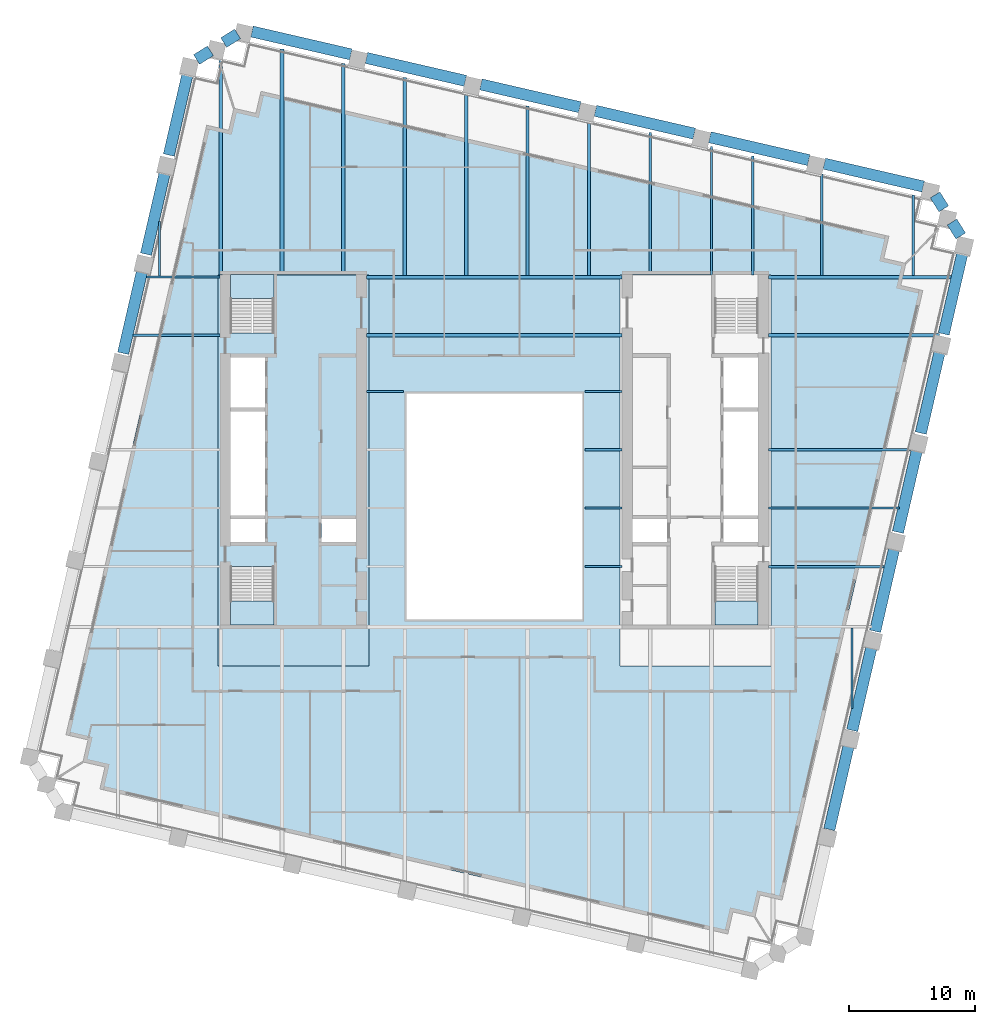
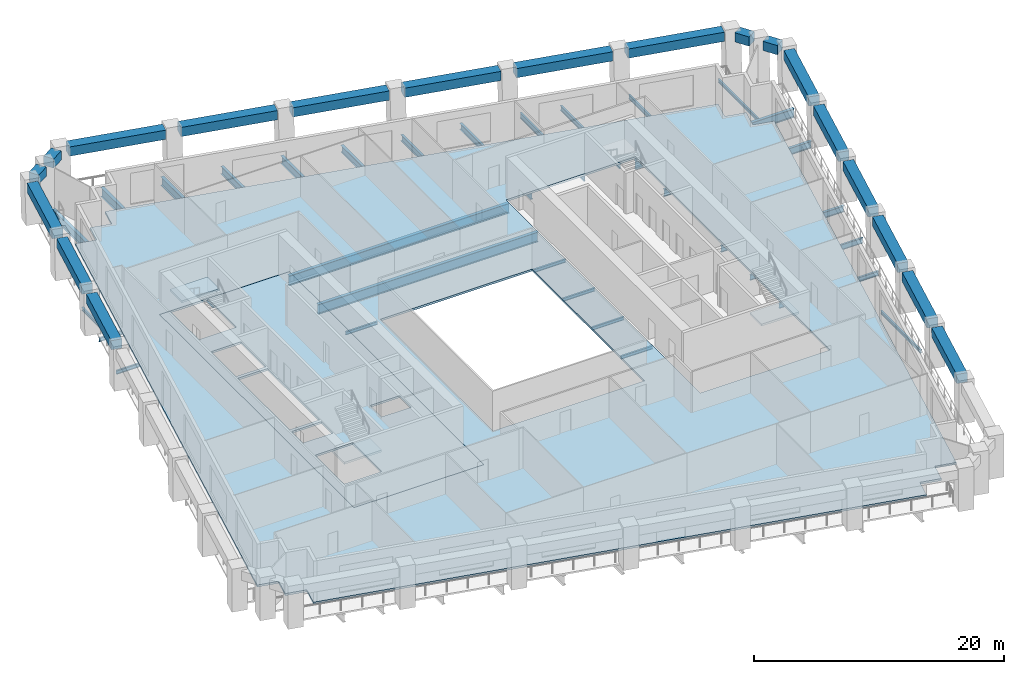
# One storey, part 2 of 10: 47 beams, 5 slabs, 3 elements without a shape of their own.
"""IFC4 building model written with IfcOpenShell, lengths in metres."""

from ifc_helpers import new_model, si_unit, direction, frame, origin, origin_2d, place, context, subcontext, project, spatial, polyline, rectangle, i_section, outline, extrude, material, layer, layer_set, material_profile, profile_set, type_object, element, aggregate, save


model = new_model("IFC4")

# Units and contexts
model_context = context("Model", 3, precision=1e-05, world=origin(), true_north=direction((0.0, 1.0)))
body_context = subcontext(model_context, "Body", "Model", "MODEL_VIEW")
ifc_project = project(units=[si_unit("LENGTHUNIT", "METRE"), si_unit("AREAUNIT", "SQUARE_METRE"), si_unit("VOLUMEUNIT", "CUBIC_METRE"), si_unit("PLANEANGLEUNIT", "RADIAN"), si_unit("MASSUNIT", "GRAM", prefix="KILO")], contexts=[model_context])

# Site, building, storey
site_placement = place(None, origin())
site = spatial("IfcSite", under=ifc_project, at=site_placement, CompositionType="ELEMENT")
building_placement = place(site_placement, origin())
building = spatial("IfcBuilding", under=site, at=building_placement, Name="Ogive Exchange Tower", CompositionType="ELEMENT")
storey_placement = place(building_placement, frame((0.0, 0.0, 118.199951171875)))
storey = spatial("IfcBuildingStorey", under=building, at=storey_placement, Name="L25", CompositionType="ELEMENT", Elevation=118.199951171875)

# Beams
ifc_material_1 = material(Name="Steel ASTM A992 Gr50", Category="steel")
ifc_material_profile_1 = material_profile(ifc_material_1, i_section(OverallWidth=0.300048828125, OverallDepth=0.969970703125, WebThickness=0.01611328125, FlangeThickness=0.02099609375, at=origin_2d()), Name="W1000x222")
ifc_profile_set_1 = profile_set([ifc_material_profile_1], Name="Steel ASTM A992 Gr50")
beam_type_1 = type_object("IfcBeamType", Name="Floor beam W1000x222", PredefinedType="JOIST", material=ifc_profile_set_1)
beam_1_placement = place(storey_placement, frame((-10.169921875, 20.62255859375, -0.68505859375), z_axis=(1.0, 0.0, 0.0), x_axis=(0.0, 1.0, 0.0)))
element("IfcBeam", 1, at=beam_1_placement, inside=storey, type_object=beam_type_1, Name="Floor beam", PredefinedType="JOIST", context=body_context, shape_type="SweptSolid", body=[
    extrude(i_section(OverallWidth=0.300048828125, OverallDepth=0.969970703125, WebThickness=0.01611328125, FlangeThickness=0.02099609375, at=origin_2d()), origin(), (0.0, 0.0, 1.0), 20.33984375),
])
ifc_material_profile_2 = material_profile(ifc_material_1, i_section(OverallWidth=0.1650390625, OverallDepth=0.31005859375, WebThickness=0.005859375, FlangeThickness=0.009765625, at=origin_2d()), Name="W310x38.7")
ifc_profile_set_2 = profile_set([ifc_material_profile_2], Name="Steel ASTM A992 Gr50")
beam_type_2 = type_object("IfcBeamType", Name="Floor beam W310x38.7", PredefinedType="JOIST", material=ifc_profile_set_2)
for number, where, z_axis, x_axis, name in (
    (2, (7.219970703125, 2.208740234375, -0.35498046875), (1.0, 0.0, 0.0), (0.0, 1.0, 0.0), "Floor beam"),
    (3, (7.219970703125, 6.857421875, -0.35498046875), (1.0, 0.0, 0.0), (0.0, 1.0, 0.0), "Floor beam"),
    (4, (7.219970703125, 11.50634765625, -0.35498046875), (1.0, 0.0, 0.0), (0.0, 1.0, 0.0), "Floor beam"),
):
    element("IfcBeam", number, at=place(storey_placement, frame(where, z_axis=z_axis, x_axis=x_axis)), inside=storey, type_object=beam_type_2, Name=name, PredefinedType="JOIST", context=body_context, shape_type="SweptSolid", body=[
        extrude(i_section(OverallWidth=0.1650390625, OverallDepth=0.31005859375, WebThickness=0.005859375, FlangeThickness=0.009765625, at=origin_2d()), origin(), (0.0, 0.0, 1.0), 2.949951171875),
    ])
beam_2_placement = place(storey_placement, frame((28.452392578125, -9.10546875, -0.35498046875), z_axis=(0.0, 1.0, 0.0), x_axis=(-1.0, 0.0, 0.0)))
element("IfcBeam", 5, at=beam_2_placement, inside=storey, type_object=beam_type_2, Name="Floor beam", PredefinedType="JOIST", context=body_context, shape_type="SweptSolid", body=[
    extrude(i_section(OverallWidth=0.1650390625, OverallDepth=0.31005859375, WebThickness=0.005859375, FlangeThickness=0.009765625, at=origin_2d()), origin(), (0.0, 0.0, 1.0), 6.41455078125),
])
beam_3_placement = place(storey_placement, frame((-26.672119140625, 25.33056640625, -0.35498046875), z_axis=(0.0, 1.0, 0.0), x_axis=(-1.0, 0.0, 0.0)))
element("IfcBeam", 6, at=beam_3_placement, inside=storey, type_object=beam_type_2, Name="Floor beam", PredefinedType="JOIST", context=body_context, shape_type="SweptSolid", body=[
    extrude(i_section(OverallWidth=0.1650390625, OverallDepth=0.31005859375, WebThickness=0.005859375, FlangeThickness=0.009765625, at=origin_2d()), origin(), (0.0, 0.0, 1.0), 4.33642578125),
])
beam_4_placement = place(storey_placement, frame((33.336669921875, 25.39111328125, -0.35498046875), z_axis=(0.0, 1.0, 0.0), x_axis=(-1.0, 0.0, 0.0)))
element("IfcBeam", 7, at=beam_4_placement, inside=storey, type_object=beam_type_2, Name="Floor beam", PredefinedType="JOIST", context=body_context, shape_type="SweptSolid", body=[
    extrude(i_section(OverallWidth=0.1650390625, OverallDepth=0.31005859375, WebThickness=0.005859375, FlangeThickness=0.009765625, at=origin_2d()), origin(), (0.0, 0.0, 1.0), 6.39892578125),
])
ifc_material_profile_3 = material_profile(ifc_material_1, i_section(OverallWidth=0.1708984375, OverallDepth=0.35595703125, WebThickness=0.00732421875, FlangeThickness=0.01171875, at=origin_2d()), Name="W360x51")
ifc_profile_set_3 = profile_set([ifc_material_profile_3], Name="Steel ASTM A992 Gr50")
beam_type_3 = type_object("IfcBeamType", Name="Floor beam W360x51", PredefinedType="JOIST", material=ifc_profile_set_3)
beam_5_placement = place(storey_placement, frame((-28.76025390625, 20.62255859375, -0.3779296875), z_axis=(1.0, 0.0, 0.0), x_axis=(0.0, 1.0, 0.0)))
element("IfcBeam", 8, at=beam_5_placement, inside=storey, type_object=beam_type_3, Name="Floor beam", PredefinedType="JOIST", context=body_context, shape_type="SweptSolid", body=[
    extrude(i_section(OverallWidth=0.1708984375, OverallDepth=0.35595703125, WebThickness=0.00732421875, FlangeThickness=0.01171875, at=origin_2d()), origin(), (0.0, 0.0, 1.0), 6.93017578125),
])
ifc_material_profile_4 = material_profile(ifc_material_1, i_section(OverallWidth=0.177978515625, OverallDepth=0.406005859375, WebThickness=0.0078125, FlangeThickness=0.0126953125, at=origin_2d()), Name="W410x60")
ifc_profile_set_4 = profile_set([ifc_material_profile_4], Name="Steel ASTM A992 Gr50")
beam_type_4 = type_object("IfcBeamType", Name="Floor beam W410x60", PredefinedType="JOIST", material=ifc_profile_set_4)
beam_6_placement = place(storey_placement, frame((26.052490234375, 25.39111328125, -0.40283203125), z_axis=(0.0, 1.0, 0.0), x_axis=(-1.0, 0.0, 0.0)))
element("IfcBeam", 9, at=beam_6_placement, inside=storey, type_object=beam_type_4, Name="Floor beam", PredefinedType="JOIST", context=body_context, shape_type="SweptSolid", body=[
    extrude(i_section(OverallWidth=0.177978515625, OverallDepth=0.406005859375, WebThickness=0.0078125, FlangeThickness=0.0126953125, at=origin_2d()), origin(), (0.0, 0.0, 1.0), 8.08056640625),
])
ifc_material_profile_5 = material_profile(ifc_material_1, i_section(OverallWidth=0.19091796875, OverallDepth=0.45703125, WebThickness=0.009033203125, FlangeThickness=0.014404296875, at=origin_2d()), Name="W460x74")
ifc_profile_set_5 = profile_set([ifc_material_profile_5], Name="Steel ASTM A992 Gr50")
beam_type_5 = type_object("IfcBeamType", Name="Floor beam W460x74", PredefinedType="JOIST", material=ifc_profile_set_5)
beam_7_placement = place(storey_placement, frame((21.830078125, 2.208740234375, -0.428466796875), z_axis=(1.0, 0.0, 0.0), x_axis=(0.0, 1.0, 0.0)))
element("IfcBeam", 10, at=beam_7_placement, inside=storey, type_object=beam_type_5, Name="Floor beam", PredefinedType="JOIST", context=body_context, shape_type="SweptSolid", body=[
    extrude(i_section(OverallWidth=0.19091796875, OverallDepth=0.45703125, WebThickness=0.009033203125, FlangeThickness=0.014404296875, at=origin_2d()), origin(), (0.0, 0.0, 1.0), 9.199951171875),
])
beam_8_placement = place(storey_placement, frame((20.568603515625, 25.39990234375, -0.428466796875), z_axis=(0.0, 1.0, 0.0), x_axis=(-1.0, 0.0, 0.0)))
element("IfcBeam", 11, at=beam_8_placement, inside=storey, type_object=beam_type_5, Name="Floor beam", PredefinedType="JOIST", context=body_context, shape_type="SweptSolid", body=[
    extrude(i_section(OverallWidth=0.19091796875, OverallDepth=0.45703125, WebThickness=0.009033203125, FlangeThickness=0.014404296875, at=origin_2d()), origin(), (0.0, 0.0, 1.0), 9.48779296875),
])
ifc_material_profile_6 = material_profile(ifc_material_1, i_section(OverallWidth=0.1669921875, OverallDepth=0.535888671875, WebThickness=0.01025390625, FlangeThickness=0.0166015625, at=origin_2d()), Name="W530x85")
ifc_profile_set_6 = profile_set([ifc_material_profile_6], Name="Steel ASTM A992 Gr50")
beam_type_6 = type_object("IfcBeamType", Name="Floor beam W530x85", PredefinedType="JOIST", material=ifc_profile_set_6)
beam_9_placement = place(storey_placement, frame((21.830078125, 6.857421875, -0.468017578125), z_axis=(1.0, 0.0, 0.0), x_axis=(0.0, 1.0, 0.0)))
element("IfcBeam", 12, at=beam_9_placement, inside=storey, type_object=beam_type_6, Name="Floor beam", PredefinedType="JOIST", context=body_context, shape_type="SweptSolid", body=[
    extrude(i_section(OverallWidth=0.1669921875, OverallDepth=0.535888671875, WebThickness=0.01025390625, FlangeThickness=0.0166015625, at=origin_2d()), origin(), (0.0, 0.0, 1.0), 10.423095703125),
])
beam_10_placement = place(storey_placement, frame((17.284423828125, 25.39990234375, -0.468017578125), z_axis=(0.0, 1.0, 0.0), x_axis=(-1.0, 0.0, 0.0)))
element("IfcBeam", 13, at=beam_10_placement, inside=storey, type_object=beam_type_6, Name="Floor beam", PredefinedType="JOIST", context=body_context, shape_type="SweptSolid", body=[
    extrude(i_section(OverallWidth=0.1669921875, OverallDepth=0.535888671875, WebThickness=0.01025390625, FlangeThickness=0.0166015625, at=origin_2d()), origin(), (0.0, 0.0, 1.0), 10.24609375),
])
ifc_material_profile_7 = material_profile(ifc_material_1, i_section(OverallWidth=0.22802734375, OverallDepth=0.60205078125, WebThickness=0.010498046875, FlangeThickness=0.014892578125, at=origin_2d()), Name="W610x101")
ifc_profile_set_7 = profile_set([ifc_material_profile_7], Name="Steel ASTM A992 Gr50")
beam_type_7 = type_object("IfcBeamType", Name="Floor beam W610x101", PredefinedType="JOIST", material=ifc_profile_set_7)
beam_11_placement = place(storey_placement, frame((21.830078125, 11.50634765625, -0.5009765625), z_axis=(1.0, 0.0, 0.0), x_axis=(0.0, 1.0, 0.0)))
element("IfcBeam", 14, at=beam_11_placement, inside=storey, type_object=beam_type_7, Name="Floor beam", PredefinedType="JOIST", context=body_context, shape_type="SweptSolid", body=[
    extrude(i_section(OverallWidth=0.22802734375, OverallDepth=0.60205078125, WebThickness=0.010498046875, FlangeThickness=0.014892578125, at=origin_2d()), origin(), (0.0, 0.0, 1.0), 11.346435546875),
])
beam_12_placement = place(storey_placement, frame((7.516357421875, 25.39501953125, -0.5009765625), z_axis=(0.0, 1.0, 0.0), x_axis=(-1.0, 0.0, 0.0)))
element("IfcBeam", 15, at=beam_12_placement, inside=storey, type_object=beam_type_7, Name="Floor beam", PredefinedType="JOIST", context=body_context, shape_type="SweptSolid", body=[
    extrude(i_section(OverallWidth=0.22802734375, OverallDepth=0.60205078125, WebThickness=0.010498046875, FlangeThickness=0.014892578125, at=origin_2d()), origin(), (0.0, 0.0, 1.0), 12.356201171875),
])
beam_13_placement = place(storey_placement, frame((12.400390625, 25.39990234375, -0.5009765625), z_axis=(0.0, 1.0, 0.0), x_axis=(-1.0, 0.0, 0.0)))
element("IfcBeam", 16, at=beam_13_placement, inside=storey, type_object=beam_type_7, Name="Floor beam", PredefinedType="JOIST", context=body_context, shape_type="SweptSolid", body=[
    extrude(i_section(OverallWidth=0.22802734375, OverallDepth=0.60205078125, WebThickness=0.010498046875, FlangeThickness=0.014892578125, at=origin_2d()), origin(), (0.0, 0.0, 1.0), 11.37353515625),
])
ifc_material_profile_8 = material_profile(ifc_material_1, i_section(OverallWidth=0.25390625, OverallDepth=0.677978515625, WebThickness=0.01171875, FlangeThickness=0.016357421875, at=origin_2d()), Name="W690x125")
ifc_profile_set_8 = profile_set([ifc_material_profile_8], Name="Steel ASTM A992 Gr50")
beam_type_8 = type_object("IfcBeamType", Name="Floor beam W690x125", PredefinedType="JOIST", material=ifc_profile_set_8)
beam_14_placement = place(storey_placement, frame((21.830078125, 20.62255859375, -0.5390625), z_axis=(1.0, 0.0, 0.0), x_axis=(0.0, 1.0, 0.0)))
element("IfcBeam", 17, at=beam_14_placement, inside=storey, type_object=beam_type_8, Name="Floor beam", PredefinedType="JOIST", context=body_context, shape_type="SweptSolid", body=[
    extrude(i_section(OverallWidth=0.25390625, OverallDepth=0.677978515625, WebThickness=0.01171875, FlangeThickness=0.016357421875, at=origin_2d()), origin(), (0.0, 0.0, 1.0), 13.60107421875),
])
beam_15_placement = place(storey_placement, frame((2.632080078125, 25.39501953125, -0.5390625), z_axis=(0.0, 1.0, 0.0), x_axis=(-1.0, 0.0, 0.0)))
element("IfcBeam", 18, at=beam_15_placement, inside=storey, type_object=beam_type_8, Name="Floor beam", PredefinedType="JOIST", context=body_context, shape_type="SweptSolid", body=[
    extrude(i_section(OverallWidth=0.25390625, OverallDepth=0.677978515625, WebThickness=0.01171875, FlangeThickness=0.016357421875, at=origin_2d()), origin(), (0.0, 0.0, 1.0), 13.483642578125),
])
ifc_material_profile_9 = material_profile(ifc_material_1, i_section(OverallWidth=0.26708984375, OverallDepth=0.75390625, WebThickness=0.01318359375, FlangeThickness=0.01708984375, at=origin_2d()), Name="W760x147")
ifc_profile_set_9 = profile_set([ifc_material_profile_9], Name="Steel ASTM A992 Gr50")
beam_type_9 = type_object("IfcBeamType", Name="Floor beam W760x147", PredefinedType="JOIST", material=ifc_profile_set_9)
beam_16_placement = place(storey_placement, frame((-7.135986328125, 25.39501953125, -0.576904296875), z_axis=(0.0, 1.0, 0.0), x_axis=(-1.0, 0.0, 0.0)))
element("IfcBeam", 19, at=beam_16_placement, inside=storey, type_object=beam_type_9, Name="Floor beam", PredefinedType="JOIST", context=body_context, shape_type="SweptSolid", body=[
    extrude(i_section(OverallWidth=0.26708984375, OverallDepth=0.75390625, WebThickness=0.01318359375, FlangeThickness=0.01708984375, at=origin_2d()), origin(), (0.0, 0.0, 1.0), 15.73876953125),
])
beam_17_placement = place(storey_placement, frame((-2.251708984375, 25.39501953125, -0.576904296875), z_axis=(0.0, 1.0, 0.0), x_axis=(-1.0, 0.0, 0.0)))
element("IfcBeam", 20, at=beam_17_placement, inside=storey, type_object=beam_type_9, Name="Floor beam", PredefinedType="JOIST", context=body_context, shape_type="SweptSolid", body=[
    extrude(i_section(OverallWidth=0.26708984375, OverallDepth=0.75390625, WebThickness=0.01318359375, FlangeThickness=0.01708984375, at=origin_2d()), origin(), (0.0, 0.0, 1.0), 14.611083984375),
])
ifc_material_profile_10 = material_profile(ifc_material_1, i_section(OverallWidth=0.2919921875, OverallDepth=0.8359375, WebThickness=0.013916015625, FlangeThickness=0.018798828125, at=origin_2d()), Name="W840x176")
ifc_profile_set_10 = profile_set([ifc_material_profile_10], Name="Steel ASTM A992 Gr50")
beam_type_10 = type_object("IfcBeamType", Name="Floor beam W840x176", PredefinedType="JOIST", material=ifc_profile_set_10)
beam_18_placement = place(storey_placement, frame((-21.7880859375, 25.39990234375, -0.617919921875), z_axis=(0.0, 1.0, 0.0), x_axis=(-1.0, 0.0, 0.0)))
element("IfcBeam", 21, at=beam_18_placement, inside=storey, type_object=beam_type_10, Name="Floor beam", PredefinedType="JOIST", context=body_context, shape_type="SweptSolid", body=[
    extrude(i_section(OverallWidth=0.2919921875, OverallDepth=0.8359375, WebThickness=0.013916015625, FlangeThickness=0.018798828125, at=origin_2d()), origin(), (0.0, 0.0, 1.0), 17.269287109375),
])
beam_19_placement = place(storey_placement, frame((-12.02001953125, 25.39990234375, -0.617919921875), z_axis=(0.0, 1.0, 0.0), x_axis=(-1.0, 0.0, 0.0)))
element("IfcBeam", 22, at=beam_19_placement, inside=storey, type_object=beam_type_10, Name="Floor beam", PredefinedType="JOIST", context=body_context, shape_type="SweptSolid", body=[
    extrude(i_section(OverallWidth=0.2919921875, OverallDepth=0.8359375, WebThickness=0.013916015625, FlangeThickness=0.018798828125, at=origin_2d()), origin(), (0.0, 0.0, 1.0), 16.861572265625),
])
ifc_material_profile_11 = material_profile(ifc_material_1, i_section(OverallWidth=0.304931640625, OverallDepth=0.904052734375, WebThickness=0.01513671875, FlangeThickness=0.02001953125, at=origin_2d()), Name="W920x201")
ifc_profile_set_11 = profile_set([ifc_material_profile_11], Name="Steel ASTM A992 Gr50")
beam_type_11 = type_object("IfcBeamType", Name="Floor beam W920x201", PredefinedType="JOIST", material=ifc_profile_set_11)
beam_20_placement = place(storey_placement, frame((-16.904052734375, 25.39990234375, -0.65185546875), z_axis=(0.0, 1.0, 0.0), x_axis=(-1.0, 0.0, 0.0)))
element("IfcBeam", 23, at=beam_20_placement, inside=storey, type_object=beam_type_11, Name="Floor beam", PredefinedType="JOIST", context=body_context, shape_type="SweptSolid", body=[
    extrude(i_section(OverallWidth=0.304931640625, OverallDepth=0.904052734375, WebThickness=0.01513671875, FlangeThickness=0.02001953125, at=origin_2d()), origin(), (0.0, 0.0, 1.0), 17.989013671875),
])
ifc_material_profile_12 = material_profile(ifc_material_1, i_section(OverallWidth=0.300048828125, OverallDepth=0.97998046875, WebThickness=0.0166015625, FlangeThickness=0.026123046875, at=origin_2d()), Name="W1000x249")
ifc_profile_set_12 = profile_set([ifc_material_profile_12], Name="Steel ASTM A992 Gr50")
beam_type_12 = type_object("IfcBeamType", Name="Girder W1000x249", PredefinedType="BEAM", material=ifc_profile_set_12)
beam_21_placement = place(storey_placement, frame((-10.169921875, 25.2451171875, -0.68994140625), z_axis=(1.0, 0.0, 0.0), x_axis=(0.0, 1.0, 0.0)))
element("IfcBeam", 24, at=beam_21_placement, inside=storey, type_object=beam_type_12, Name="Header girder", PredefinedType="BEAM", context=body_context, shape_type="SweptSolid", body=[
    extrude(i_section(OverallWidth=0.300048828125, OverallDepth=0.97998046875, WebThickness=0.0166015625, FlangeThickness=0.026123046875, at=origin_2d()), origin(), (0.0, 0.0, 1.0), 20.33984375),
])
ifc_material_profile_13 = material_profile(ifc_material_1, i_section(OverallWidth=0.1650390625, OverallDepth=0.31005859375, WebThickness=0.005859375, FlangeThickness=0.009765625, at=origin_2d()), Name="W310x38.7")
ifc_profile_set_13 = profile_set([ifc_material_profile_13], Name="Steel ASTM A992 Gr50")
beam_type_13 = type_object("IfcBeamType", Name="Girder W310x38.7", PredefinedType="BEAM", material=ifc_profile_set_13)
for number, where, z_axis, x_axis, name in (
    (25, (-10.169921875, 16.155029296875, -0.35498046875), (1.0, 0.0, 0.0), (0.0, 1.0, 0.0), "Trimmer girder"),
    (26, (7.219970703125, 16.155029296875, -0.35498046875), (1.0, 0.0, 0.0), (0.0, 1.0, 0.0), "Trimmer girder"),
):
    element("IfcBeam", number, at=place(storey_placement, frame(where, z_axis=z_axis, x_axis=x_axis)), inside=storey, type_object=beam_type_13, Name=name, PredefinedType="BEAM", context=body_context, shape_type="SweptSolid", body=[
        extrude(i_section(OverallWidth=0.1650390625, OverallDepth=0.31005859375, WebThickness=0.005859375, FlangeThickness=0.009765625, at=origin_2d()), origin(), (0.0, 0.0, 1.0), 2.949951171875),
    ])
ifc_material_profile_14 = material_profile(ifc_material_1, i_section(OverallWidth=0.1708984375, OverallDepth=0.35595703125, WebThickness=0.00732421875, FlangeThickness=0.01171875, at=origin_2d()), Name="W360x51")
ifc_profile_set_14 = profile_set([ifc_material_profile_14], Name="Steel ASTM A992 Gr50")
beam_type_14 = type_object("IfcBeamType", Name="Girder W360x51", PredefinedType="BEAM", material=ifc_profile_set_14)
beam_22_placement = place(storey_placement, frame((-27.693115234375, 25.2451171875, -0.3779296875), z_axis=(1.0, 0.0, 0.0), x_axis=(0.0, 1.0, 0.0)))
element("IfcBeam", 27, at=beam_22_placement, inside=storey, type_object=beam_type_14, Name="Header girder", PredefinedType="BEAM", context=body_context, shape_type="SweptSolid", body=[
    extrude(i_section(OverallWidth=0.1708984375, OverallDepth=0.35595703125, WebThickness=0.00732421875, FlangeThickness=0.01171875, at=origin_2d()), origin(), (0.0, 0.0, 1.0), 5.863037109375),
])
ifc_material_profile_15 = material_profile(ifc_material_1, i_section(OverallWidth=0.2919921875, OverallDepth=0.8359375, WebThickness=0.013916015625, FlangeThickness=0.018798828125, at=origin_2d()), Name="W840x176")
ifc_profile_set_15 = profile_set([ifc_material_profile_15], Name="Steel ASTM A992 Gr50")
beam_type_15 = type_object("IfcBeamType", Name="Girder W840x176", PredefinedType="BEAM", material=ifc_profile_set_15)
beam_23_placement = place(storey_placement, frame((21.830078125, 25.2451171875, -0.617919921875), z_axis=(1.0, 0.0, 0.0), x_axis=(0.0, 1.0, 0.0)))
element("IfcBeam", 28, at=beam_23_placement, inside=storey, type_object=beam_type_15, Name="Header girder", PredefinedType="BEAM", context=body_context, shape_type="SweptSolid", body=[
    extrude(i_section(OverallWidth=0.2919921875, OverallDepth=0.8359375, WebThickness=0.013916015625, FlangeThickness=0.018798828125, at=origin_2d()), origin(), (0.0, 0.0, 1.0), 14.668212890625),
])
ifc_material_2 = material(Name="Precast concrete C70/85 (limestone faced)", Category="masonry")
ifc_material_profile_16 = material_profile(ifc_material_2, rectangle(XDim=0.89990234375, YDim=0.89990234375, at=origin_2d()), Name="900 x 900")
ifc_profile_set_16 = profile_set([ifc_material_profile_16], Name="Precast concrete C70/85 (limestone faced)")
beam_type_16 = type_object("IfcBeamType", Name="Precast spandrel 900 x 900 C70/85", PredefinedType="SPANDREL", material=ifc_profile_set_16)
beam_24_placement = place(storey_placement, frame((26.66064453125, -18.717529296875, 3.5), z_axis=(0.224958620214, 0.974368318035, 0.0), x_axis=(-0.974368318035, 0.224958620214, 0.0)))
element("IfcBeam", 29, at=beam_24_placement, inside=storey, type_object=beam_type_16, Name="Spandrel 10", PredefinedType="SPANDREL", context=body_context, shape_type="SweptSolid", body=[
    extrude(rectangle(XDim=0.89990234375, YDim=0.89990234375, at=origin_2d()), origin(), (0.0, 0.0, 1.0), 6.836181640625),
])
for number, where, z_axis, x_axis, name in (
    (30, (28.481689453125, -10.828857421875, 3.5), (0.224966448588, 0.974366510616, 0.0), (-0.974366510616, 0.224966448588, 0.0), "Spandrel 11"),
    (31, (30.302978515625, -2.940185546875, 3.5), (0.224966448588, 0.974366510616, 0.0), (-0.974366510616, 0.224966448588, 0.0), "Spandrel 12"),
):
    element("IfcBeam", number, at=place(storey_placement, frame(where, z_axis=z_axis, x_axis=x_axis)), inside=storey, type_object=beam_type_16, Name=name, PredefinedType="SPANDREL", context=body_context, shape_type="SweptSolid", body=[
        extrude(rectangle(XDim=0.89990234375, YDim=0.89990234375, at=origin_2d()), origin(), (0.0, 0.0, 1.0), 6.8359375),
    ])
for number, where, z_axis, x_axis, name in (
    (32, (32.124267578125, 4.9482421875, 3.5), (0.224958620214, 0.974368318035, 0.0), (-0.974368318035, 0.224958620214, 0.0), "Spandrel 13"),
    (33, (33.945556640625, 12.8369140625, 3.5), (0.224958620214, 0.974368318035, 0.0), (-0.974368318035, 0.224958620214, 0.0), "Spandrel 14"),
    (34, (35.7666015625, 20.7255859375, 3.5), (0.224958620214, 0.974368318035, 0.0), (-0.974368318035, 0.224958620214, 0.0), "Spandrel 15"),
):
    element("IfcBeam", number, at=place(storey_placement, frame(where, z_axis=z_axis, x_axis=x_axis)), inside=storey, type_object=beam_type_16, Name=name, PredefinedType="SPANDREL", context=body_context, shape_type="SweptSolid", body=[
        extrude(rectangle(XDim=0.89990234375, YDim=0.89990234375, at=origin_2d()), origin(), (0.0, 0.0, 1.0), 6.836181640625),
    ])
for number, where, z_axis, x_axis, name in (
    (35, (37.1181640625, 28.525390625, 3.5), (-0.530066093226, 0.847956329543, 0.0), (-0.847956329543, -0.530066093226, 0.0), "Spandrel 16"),
    (36, (35.76904296875, 30.68408203125, 3.5), (-0.529931776808, 0.848040277303, 0.0), (-0.848040277303, -0.529931776808, 0.0), "Spandrel 17"),
):
    element("IfcBeam", number, at=place(storey_placement, frame(where, z_axis=z_axis, x_axis=x_axis)), inside=storey, type_object=beam_type_16, Name=name, PredefinedType="SPANDREL", context=body_context, shape_type="SweptSolid", body=[
        extrude(rectangle(XDim=0.89990234375, YDim=0.89990234375, at=origin_2d()), origin(), (0.0, 0.0, 1.0), 1.30712890625),
    ])
beam_25_placement = place(storey_placement, frame((34.134521484375, 32.45947265625, 3.5), z_axis=(-0.974371864918, 0.224943256972, 0.0), x_axis=(-0.224943256972, -0.974371864918, 0.0)))
element("IfcBeam", 37, at=beam_25_placement, inside=storey, type_object=beam_type_16, Name="Spandrel 18", PredefinedType="SPANDREL", context=body_context, shape_type="SweptSolid", body=[
    extrude(rectangle(XDim=0.89990234375, YDim=0.89990234375, at=origin_2d()), origin(), (0.0, 0.0, 1.0), 8.090087890625),
])
beam_26_placement = place(storey_placement, frame((25.024169921875, 34.562744140625, 3.5), z_axis=(-0.974370337884, 0.224949871421, 0.0), x_axis=(-0.224949871421, -0.974370337884, 0.0)))
element("IfcBeam", 38, at=beam_26_placement, inside=storey, type_object=beam_type_16, Name="Spandrel 19", PredefinedType="SPANDREL", context=body_context, shape_type="SweptSolid", body=[
    extrude(rectangle(XDim=0.89990234375, YDim=0.89990234375, at=origin_2d()), origin(), (0.0, 0.0, 1.0), 8.08984375),
])
for number, where, z_axis, x_axis, name in (
    (39, (15.913818359375, 36.666015625, 3.5), (-0.974371864918, 0.224943256972, 0.0), (-0.224943256972, -0.974371864918, 0.0), "Spandrel 20"),
    (40, (6.803466796875, 38.769287109375, 3.5), (-0.974371864918, 0.224943256972, 0.0), (-0.224943256972, -0.974371864918, 0.0), "Spandrel 21"),
    (41, (-2.306884765625, 40.87255859375, 3.5), (-0.974371864918, 0.224943256972, 0.0), (-0.224943256972, -0.974371864918, 0.0), "Spandrel 22"),
    (42, (-11.417236328125, 42.975830078125, 3.5), (-0.974365250281, 0.224971907236, 0.0), (-0.224971907236, -0.974365250281, 0.0), "Spandrel 23"),
):
    element("IfcBeam", number, at=place(storey_placement, frame(where, z_axis=z_axis, x_axis=x_axis)), inside=storey, type_object=beam_type_16, Name=name, PredefinedType="SPANDREL", context=body_context, shape_type="SweptSolid", body=[
        extrude(rectangle(XDim=0.89990234375, YDim=0.89990234375, at=origin_2d()), origin(), (0.0, 0.0, 1.0), 8.090087890625),
    ])
for number, where, z_axis, x_axis, name in (
    (43, (-20.43896484375, 44.609375, 3.5), (-0.848092721491, -0.529847842077, 0.0), (0.529847842077, -0.848092721491, 0.0), "Spandrel 24"),
    (44, (-22.597900390625, 43.260498046875, 3.5), (-0.848040277303, -0.529931776808, 0.0), (0.529931776808, -0.848040277303, 0.0), "Spandrel 25"),
):
    element("IfcBeam", number, at=place(storey_placement, frame(where, z_axis=z_axis, x_axis=x_axis)), inside=storey, type_object=beam_type_16, Name=name, PredefinedType="SPANDREL", context=body_context, shape_type="SweptSolid", body=[
        extrude(rectangle(XDim=0.89990234375, YDim=0.89990234375, at=origin_2d()), origin(), (0.0, 0.0, 1.0), 1.30712890625),
    ])
for number, where, z_axis, x_axis, name in (
    (45, (-24.373046875, 41.625732421875, 3.5), (-0.224958620214, -0.974368318035, 0.0), (0.974368318035, -0.224958620214, 0.0), "Spandrel 26"),
    (46, (-26.1943359375, 33.7373046875, 3.5), (-0.224958620214, -0.974368318035, 0.0), (0.974368318035, -0.224958620214, 0.0), "Spandrel 27"),
):
    element("IfcBeam", number, at=place(storey_placement, frame(where, z_axis=z_axis, x_axis=x_axis)), inside=storey, type_object=beam_type_16, Name=name, PredefinedType="SPANDREL", context=body_context, shape_type="SweptSolid", body=[
        extrude(rectangle(XDim=0.89990234375, YDim=0.89990234375, at=origin_2d()), origin(), (0.0, 0.0, 1.0), 6.836181640625),
    ])
beam_27_placement = place(storey_placement, frame((-28.015625, 25.8486328125, 3.5), z_axis=(-0.224924713745, -0.974376145617, 0.0), x_axis=(0.974376145617, -0.224924713745, 0.0)))
element("IfcBeam", 47, at=beam_27_placement, inside=storey, type_object=beam_type_16, Name="Spandrel 28", PredefinedType="SPANDREL", context=body_context, shape_type="SweptSolid", body=[
    extrude(rectangle(XDim=0.89990234375, YDim=0.89990234375, at=origin_2d()), origin(), (0.0, 0.0, 1.0), 6.8359375),
])

# Slabs
ifc_material_3 = material(Name="Concrete C50/60", Category="concrete")
ifc_layer_1 = layer(ifc_material_3, 0.199951171875)
ifc_layer_set_1 = layer_set([ifc_layer_1], Name="Composite floor slab 200")
slab_type_1 = type_object("IfcSlabType", Name="Composite floor slab 200", PredefinedType="FLOOR", material=ifc_layer_set_1)
slab_1_placement = place(storey_placement, frame((0.0, 0.0, -0.199951171875)))
element("IfcSlab", 48, at=slab_1_placement, inside=storey, type_object=slab_type_1, Name="Composite floor slab", PredefinedType="FLOOR", context=body_context, shape_type="SweptSolid", body=[
    extrude(outline(polyline([(-30.998779296875, -13.74560546875), (-32.752685546875, -13.3408203125), (-32.34765625, -11.5869140625), (-34.1015625, -11.181884765625), (-22.89892578125, 37.341552734375), (-21.145263671875, 36.936767578125), (-20.740234375, 38.690673828125), (-18.986328125, 38.28564453125), (-18.58154296875, 40.03955078125), (31.40380859375, 28.49951171875), (30.998779296875, 26.74560546875), (32.752685546875, 26.3408203125), (32.34765625, 24.5869140625), (34.1015625, 24.181884765625), (22.89892578125, -24.341552734375), (21.145263671875, -23.936767578125), (20.740234375, -25.690673828125), (18.986328125, -25.28564453125), (18.58154296875, -27.03955078125), (-31.40380859375, -15.49951171875), (-30.998779296875, -13.74560546875)]), holes=[polyline([(7.0, -2.0), (7.0, 16.0), (-7.0, 16.0), (-7.0, -2.0), (7.0, -2.0)]), polyline([(-22.0, -5.699951171875), (-10.0, -5.699951171875), (-10.0, 25.39990234375), (-22.0, 25.39990234375), (-22.0, -5.699951171875)]), polyline([(10.0, -5.699951171875), (22.0, -5.699951171875), (22.0, 25.39990234375), (10.0, 25.39990234375), (10.0, -5.699951171875)])]), origin(), (0.0, 0.0, 1.0), 0.199951171875),
])
ifc_material_4 = material(Name="Concrete C70/85", Category="concrete")
ifc_layer_2 = layer(ifc_material_4, 0.199951171875)
ifc_layer_set_2 = layer_set([ifc_layer_2], Name="Core floor slab 200")
slab_type_2 = type_object("IfcSlabType", Name="Core floor slab 200", PredefinedType="FLOOR", material=ifc_layer_set_2)
slab_2_placement = place(storey_placement, frame((0.0, 0.0, -0.199951171875)))
element("IfcSlab", 49, at=slab_2_placement, inside=storey, type_object=slab_type_2, Name="Core floor slab", PredefinedType="FLOOR", context=body_context, shape_type="SweptSolid", body=[
    extrude(outline(polyline([(-10.0, 25.39990234375), (-10.0, -5.699951171875), (-22.0, -5.699951171875), (-22.0, 25.39990234375), (-21.0, 25.39990234375), (-21.0, 20.803955078125), (-17.550048828125, 20.803955078125), (-17.550048828125, 25.39990234375), (-10.0, 25.39990234375)]), holes=[polyline([(-17.550048828125, 2.196044921875), (-21.0, 2.196044921875), (-21.0, -2.449951171875), (-17.550048828125, -2.449951171875), (-17.550048828125, 2.196044921875)]), polyline([(-18.25, 5.992919921875), (-21.0, 5.992919921875), (-21.0, 4.14990234375), (-18.25, 4.14990234375), (-18.25, 5.992919921875)]), polyline([(-11.0, 5.992919921875), (-13.75, 5.992919921875), (-13.75, 4.14990234375), (-11.0, 4.14990234375), (-11.0, 5.992919921875)]), polyline([(-21.0, 14.564208984375), (-21.0, 6.29296875), (-18.25, 6.29296875), (-18.25, 14.564208984375), (-21.0, 14.564208984375)]), polyline([(-18.25, 18.85009765625), (-21.0, 18.85009765625), (-21.0, 14.8642578125), (-18.25, 14.8642578125), (-18.25, 18.85009765625)])]), origin(), (0.0, 0.0, 1.0), 0.199951171875),
])

# Stair, slab
ifc_material_5 = material(Name="Concrete C40/50", Category="concrete")
stair_type = type_object("IfcStairType", Name="Exit stair 1650 wide", PredefinedType="HALF_TURN_STAIR", material=ifc_material_5)
stair_1_placement = place(storey_placement, origin())
stair_1 = element("IfcStair", 50, at=stair_1_placement, inside=storey, type_object=stair_type, Name="L25 exit stair ST1", PredefinedType="HALF_TURN_STAIR")
ifc_layer_3 = layer(ifc_material_5, 0.199951171875)
ifc_layer_set_3 = layer_set([ifc_layer_3], Name="Stair landing 200 slab")
slab_type_3 = type_object("IfcSlabType", Name="Stair landing 200 slab", PredefinedType="LANDING", material=ifc_layer_set_3)
slab_3_placement = place(storey_placement, frame((0.0, 0.0, 1.900146484375)))
slab_3 = element("IfcSlab", 51, at=slab_3_placement, type_object=slab_type_3, Name="ST1 landing 1", PredefinedType="LANDING", context=body_context, shape_type="SweptSolid", body=[
    extrude(outline(polyline([(-21.0, -0.550048828125), (-21.0, -2.449951171875), (-17.550048828125, -2.449951171875), (-17.550048828125, -0.550048828125), (-21.0, -0.550048828125)])), origin(), (0.0, 0.0, 1.0), 0.199951171875),
])
aggregate(stair_1, [slab_3])

stair_2_placement = place(storey_placement, origin())
stair_2 = element("IfcStair", 52, at=stair_2_placement, inside=storey, type_object=stair_type, Name="L25 exit stair ST2", PredefinedType="HALF_TURN_STAIR")
slab_4_placement = place(storey_placement, frame((0.0, 0.0, 1.900146484375)))
slab_4 = element("IfcSlab", 53, at=slab_4_placement, type_object=slab_type_3, Name="ST2 landing 1", PredefinedType="LANDING", context=body_context, shape_type="SweptSolid", body=[
    extrude(outline(polyline([(-17.550048828125, 23.550048828125), (-17.550048828125, 25.449951171875), (-21.0, 25.449951171875), (-21.0, 23.550048828125), (-17.550048828125, 23.550048828125)])), origin(), (0.0, 0.0, 1.0), 0.199951171875),
])
aggregate(stair_2, [slab_4])

stair_3_placement = place(storey_placement, origin())
stair_3 = element("IfcStair", 54, at=stair_3_placement, inside=storey, type_object=stair_type, Name="L25 exit stair ST3", PredefinedType="HALF_TURN_STAIR")
slab_5_placement = place(storey_placement, frame((0.0, 0.0, 1.900146484375)))
slab_5 = element("IfcSlab", 55, at=slab_5_placement, type_object=slab_type_3, Name="ST3 landing 1", PredefinedType="LANDING", context=body_context, shape_type="SweptSolid", body=[
    extrude(outline(polyline([(17.550048828125, -0.550048828125), (17.550048828125, -2.449951171875), (21.0, -2.449951171875), (21.0, -0.550048828125), (17.550048828125, -0.550048828125)])), origin(), (0.0, 0.0, 1.0), 0.199951171875),
])
aggregate(stair_3, [slab_5])

save(model, "model.ifc")
